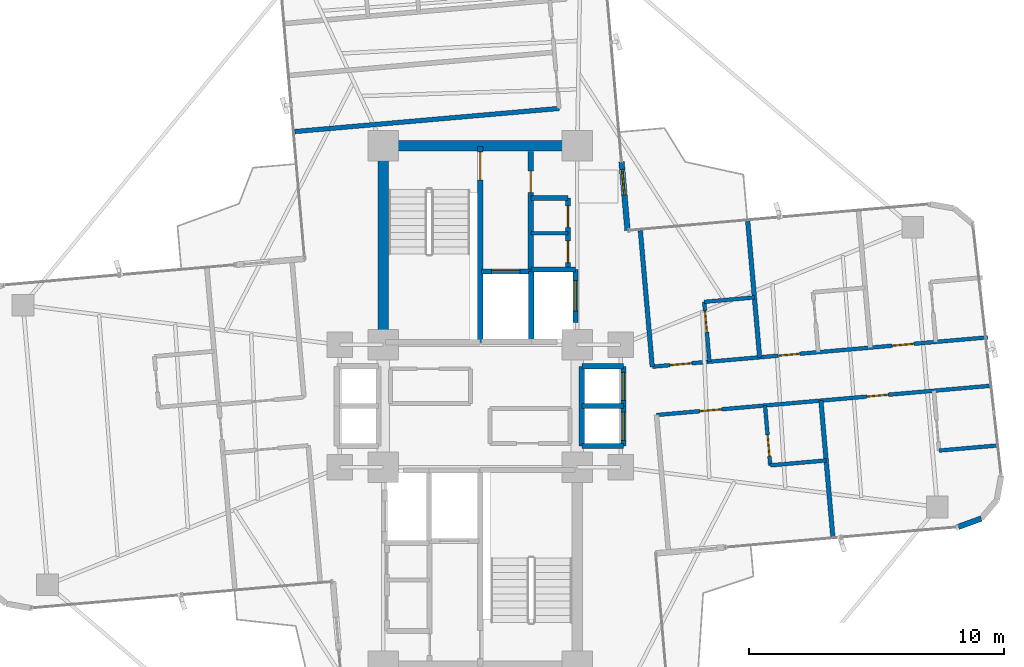
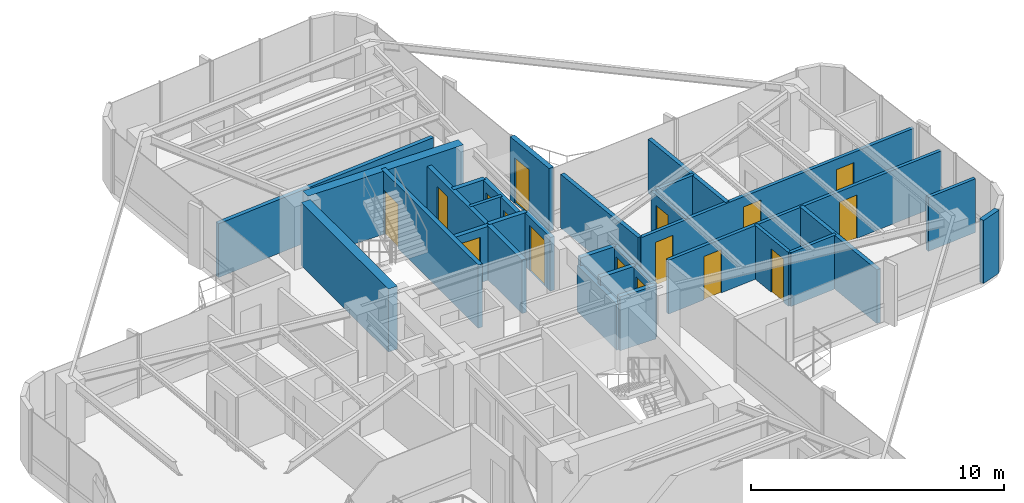
# One storey, part 22 of 24: 30 walls, 16 doors, 16 openings.
"""IFC4 building model written with IfcOpenShell, lengths in metres."""

from ifc_helpers import new_model, si_unit, direction, frame, frame_2d, origin, origin_2d, place, context, subcontext, project, spatial, rectangle, extrude, source, transform, mapped, material, layer, layer_set, type_object, element, fill, save


model = new_model("IFC4")

# Units and contexts
model_context = context("Model", 3, precision=1e-05, world=origin(), true_north=direction((0.0, 1.0)))
body_context = subcontext(model_context, "Body", "Model", "MODEL_VIEW")
ifc_project = project(units=[si_unit("LENGTHUNIT", "METRE"), si_unit("AREAUNIT", "SQUARE_METRE"), si_unit("VOLUMEUNIT", "CUBIC_METRE"), si_unit("PLANEANGLEUNIT", "RADIAN"), si_unit("MASSUNIT", "GRAM", prefix="KILO")], contexts=[model_context])

# Site, building, storey
site_placement = place(None, origin())
site = spatial("IfcSite", under=ifc_project, at=site_placement, CompositionType="ELEMENT")
building_placement = place(site_placement, origin())
building = spatial("IfcBuilding", under=site, at=building_placement, Name="Sahyath Konkavel Grand Hotel", CompositionType="ELEMENT")
storey_placement = place(building_placement, frame((0.0, 0.0, 167.35009765625)))
storey = spatial("IfcBuildingStorey", under=building, at=storey_placement, Name="L46", CompositionType="ELEMENT", Elevation=167.35009765625)

# Walls
ifc_material_1 = material(Name="Concrete C50/60", Category="concrete")
ifc_layer_1 = layer(ifc_material_1, 0.419921875)
ifc_layer_set_1 = layer_set([ifc_layer_1], Name="Concrete C50/60")
wall_type_1 = type_object("IfcWallType", Name="CWALL-420", PredefinedType="SHEAR", material=ifc_layer_set_1)
wall_1_placement = place(storey_placement, frame((-3.550048828125, 10.199951171875, 0.0), z_axis=(0.0, 0.0, 1.0), x_axis=(1.0, 0.0, 0.0)))
element("IfcWall", 1, at=wall_1_placement, inside=storey, type_object=wall_type_1, Name="L46 North Core Shear Wall N", PredefinedType="SHEAR", context=body_context, shape_type="SweptSolid", body=[
    extrude(rectangle(XDim=7.10009765625, YDim=0.419921875, at=frame_2d((3.550048828125, 0.0))), origin(), (0.0, 0.0, 1.0), 3.0498046875),
])
wall_2_placement = place(storey_placement, frame((-3.800048828125, 2.85009765625, 0.0), z_axis=(0.0, 0.0, 1.0), x_axis=(0.0, 1.0, 0.0)))
element("IfcWall", 2, at=wall_2_placement, inside=storey, type_object=wall_type_1, Name="L46 North Core Shear Wall W", PredefinedType="SHEAR", context=body_context, shape_type="SweptSolid", body=[
    extrude(rectangle(XDim=6.89990234375, YDim=0.419921875, at=frame_2d((3.449951171875, 0.0))), origin(), (0.0, 0.0, 1.0), 3.0498046875),
])
ifc_material_2 = material(Name="Warm Buff Sandstone Insulated Concrete C40/50", Category="masonry")
ifc_layer_2 = layer(ifc_material_2, 0.219970703125)
ifc_layer_set_2 = layer_set([ifc_layer_2], Name="Warm Buff Sandstone Insulated Concrete C40/50")
wall_type_2 = type_object("IfcWallType", Name="WLL-BALC-THRESH", PredefinedType="STANDARD", material=ifc_layer_set_2)
wall_3_placement = place(storey_placement, frame((18.73388671875, -4.735107421875, 0.0), z_axis=(0.0, 0.0, 1.0), x_axis=(0.939741306239, 0.34188635151, 0.0)))
element("IfcWall", 3, at=wall_3_placement, inside=storey, type_object=wall_type_2, Name="L46 Rounded Corner Sandstone Pier 1", PredefinedType="STANDARD", context=body_context, shape_type="SweptSolid", body=[
    extrude(rectangle(XDim=0.95751953125, YDim=0.219970703125, at=frame_2d((0.478759765625, 0.0))), origin(), (0.0, 0.0, 1.0), 3.0498046875),
])

# Wall, opening, door
wall_4_placement = place(storey_placement, frame((5.7724609375, 6.87939453125, 0.0), z_axis=(0.0, 0.0, 1.0), x_axis=(-0.087168071984, 0.996193619346, 0.0)))
wall_4 = element("IfcWall", 4, at=wall_4_placement, inside=storey, type_object=wall_type_2, Name="L46 Winter-Garden Threshold Wall 8", PredefinedType="STANDARD", context=body_context, shape_type="SweptSolid", body=[
    extrude(rectangle(XDim=2.699951171875, YDim=0.219970703125, at=frame_2d((1.35009765625, 0.0))), origin(), (0.0, 0.0, 1.0), 3.0498046875),
])
opening_1_placement = place(wall_4_placement, frame((1.39990234375, 0.0, 0.0)))
opening_1 = element("IfcOpeningElement", 5, at=opening_1_placement, cuts=wall_4, Name="Opening D-TR1", PredefinedType="OPENING", context=body_context, shape_type="SweptSolid", body=[
    extrude(rectangle(XDim=1.0, YDim=2.199951171875, at=frame_2d((0.5, 1.10009765625))), frame((0.0, 0.1201171875, 0.0), z_axis=(0.0, -1.0, 0.0), x_axis=(1.0, 0.0, 0.0)), (0.0, 0.0, 1.0), 0.239990234375),
])
ifc_material_3 = material(Name="Anodised Bronze Aluminium & Low-E Glazing", Category="aluminium")
door_type_1 = type_object("IfcDoorType", Name="DR-TERRACE-1000", OperationType="NOTDEFINED", PredefinedType="DOOR", material=ifc_material_3)
shared_shape_1 = source(origin(), body_context, "Body", "SweptSolid", [
    extrude(rectangle(XDim=1.0, YDim=0.050048828125, at=origin_2d()), origin(), (0.0, 0.0, 1.0), 2.199951171875),
])
door_1_placement = place(opening_1_placement, frame((0.5, 0.0, 0.0)))
door_1 = element("IfcDoor", 6, at=door_1_placement, inside=storey, type_object=door_type_1, Name="L46 Winter-Garden Terrace Door 8", OperationType="SINGLE_SWING_LEFT", OverallHeight=2.199951171875, OverallWidth=1.0, PredefinedType="DOOR", context=body_context, shape_type="MappedRepresentation", body=[
    mapped(shared_shape_1, transform((0.0, 0.0, 0.0), scale=1.0)),
])
fill(opening_1, door_1)

ifc_material_4 = material(Name="Concrete C40/50", Category="concrete")
ifc_layer_3 = layer(ifc_material_4, 0.199951171875)
ifc_layer_set_3 = layer_set([ifc_layer_3], Name="Concrete C40/50")
wall_type_3 = type_object("IfcWallType", Name="WLL-CORE-200", PredefinedType="SOLIDWALL", material=ifc_layer_set_3)
wall_5_placement = place(storey_placement, frame((0.0, 2.5, 0.0), z_axis=(0.0, 0.0, 1.0), x_axis=(0.0, 1.0, 0.0)))
wall_5 = element("IfcWall", 7, at=wall_5_placement, inside=storey, type_object=wall_type_3, Name="L46 Stair ST-1 Shaft Wall E", PredefinedType="SOLIDWALL", context=body_context, shape_type="SweptSolid", body=[
    extrude(rectangle(XDim=7.679931640625, YDim=0.199951171875, at=frame_2d((3.83984375, 0.0))), origin(), (0.0, 0.0, 1.0), 3.0498046875),
])
opening_2_placement = place(wall_5_placement, frame((6.360107421875, 0.0, 0.0)))
opening_2 = element("IfcOpeningElement", 8, at=opening_2_placement, cuts=wall_5, Name="Opening D-F12B", PredefinedType="OPENING", context=body_context, shape_type="SweptSolid", body=[
    extrude(rectangle(XDim=1.10009765625, YDim=2.14990234375, at=frame_2d((0.550048828125, 1.074951171875))), frame((0.0, 0.10986328125, 0.0), z_axis=(0.0, -1.0, 0.0), x_axis=(1.0, 0.0, 0.0)), (0.0, 0.0, 1.0), 0.219970703125),
])
ifc_material_5 = material(Name="Steel E350 Smokeproof Fire Door", Category="steel")
door_type_2 = type_object("IfcDoorType", Name="DR-FD120-1100", OperationType="NOTDEFINED", PredefinedType="DOOR", material=ifc_material_5)
shared_shape_2 = source(origin(), body_context, "Body", "SweptSolid", [
    extrude(rectangle(XDim=1.10009765625, YDim=0.050048828125, at=origin_2d()), origin(), (0.0, 0.0, 1.0), 2.14990234375),
])
door_2_placement = place(opening_2_placement, frame((0.550048828125, 0.0, 0.0)))
door_2 = element("IfcDoor", 9, at=door_2_placement, inside=storey, type_object=door_type_2, Name="L46 Stair ST-1 Fire Door", OperationType="SINGLE_SWING_RIGHT", OverallHeight=2.14990234375, OverallWidth=1.10009765625, PredefinedType="DOOR", context=body_context, shape_type="MappedRepresentation", body=[
    mapped(shared_shape_2, transform((0.0, 0.0, 0.0), scale=1.0)),
])
fill(opening_2, door_2)

wall_6_placement = place(storey_placement, frame((1.97998046875, 5.320068359375, 0.0), z_axis=(0.0, 0.0, 1.0), x_axis=(0.0, 1.0, 0.0)))
wall_6 = element("IfcWall", 10, at=wall_6_placement, inside=storey, type_object=wall_type_3, Name="L46 North Firefighting Lobby Wall E", PredefinedType="SOLIDWALL", context=body_context, shape_type="SweptSolid", body=[
    extrude(rectangle(XDim=4.659912109375, YDim=0.199951171875, at=frame_2d((2.330078125, 0.0))), origin(), (0.0, 0.0, 1.0), 2.599853515625),
])
opening_3_placement = place(wall_6_placement, frame((3.0400390625, 0.0, 0.0)))
opening_3 = element("IfcOpeningElement", 11, at=opening_3_placement, cuts=wall_6, Name="Opening D-F12D", PredefinedType="OPENING", context=body_context, shape_type="SweptSolid", body=[
    extrude(rectangle(XDim=0.85009765625, YDim=2.10009765625, at=frame_2d((0.425048828125, 1.050048828125))), frame((0.0, 0.10986328125, 0.0), z_axis=(0.0, -1.0, 0.0), x_axis=(1.0, 0.0, 0.0)), (0.0, 0.0, 1.0), 0.219970703125),
])
ifc_material_6 = material(Name="Steel E350 Core Fire Door", Category="steel")
door_type_3 = type_object("IfcDoorType", Name="DR-FD120-850", OperationType="NOTDEFINED", PredefinedType="DOOR", material=ifc_material_6)
shared_shape_3 = source(origin(), body_context, "Body", "SweptSolid", [
    extrude(rectangle(XDim=0.85009765625, YDim=0.050048828125, at=origin_2d()), origin(), (0.0, 0.0, 1.0), 2.10009765625),
])
door_3_placement = place(opening_3_placement, frame((0.425048828125, 0.0, 0.0)))
door_3 = element("IfcDoor", 12, at=door_3_placement, inside=storey, type_object=door_type_3, Name="L46 North Firefighting Lobby Door", OperationType="SINGLE_SWING_RIGHT", OverallHeight=2.10009765625, OverallWidth=0.85009765625, PredefinedType="DOOR", context=body_context, shape_type="MappedRepresentation", body=[
    mapped(shared_shape_3, transform((0.0, 0.0, 0.0), scale=1.0)),
])
fill(opening_3, door_3)

# Wall
wall_7_placement = place(storey_placement, frame((2.0, 2.5, 0.0), z_axis=(0.0, 0.0, 1.0), x_axis=(0.0, 1.0, 0.0)))
element("IfcWall", 13, at=wall_7_placement, inside=storey, type_object=wall_type_3, Name="L46 Partition SH-FFL1-E", PredefinedType="SOLIDWALL", context=body_context, shape_type="SweptSolid", body=[
    extrude(rectangle(XDim=2.780029296875, YDim=0.199951171875, at=frame_2d((1.39013671875, 0.0))), origin(), (0.0, 0.0, 1.0), 2.599853515625),
])

# Wall, opening, door
wall_8_placement = place(storey_placement, frame((0.050048828125, 5.280029296875, 0.0), z_axis=(0.0, 0.0, 1.0), x_axis=(1.0, 0.0, 0.0)))
wall_8 = element("IfcWall", 14, at=wall_8_placement, inside=storey, type_object=wall_type_3, Name="L46 Partition SH-FFL1-N", PredefinedType="SOLIDWALL", context=body_context, shape_type="SweptSolid", body=[
    extrude(rectangle(XDim=1.929931640625, YDim=0.199951171875, at=frame_2d((0.96484375, 0.0))), origin(), (0.0, 0.0, 1.0), 2.599853515625),
])
opening_4_placement = place(wall_8_placement, frame((0.39990234375, 0.0, 0.0)))
opening_4 = element("IfcOpeningElement", 15, at=opening_4_placement, cuts=wall_8, Name="Opening LD-11", PredefinedType="OPENING", context=body_context, shape_type="SweptSolid", body=[
    extrude(rectangle(XDim=1.10009765625, YDim=2.199951171875, at=frame_2d((0.550048828125, 1.10009765625))), frame((0.0, 0.10986328125, 0.0), z_axis=(0.0, -1.0, 0.0), x_axis=(1.0, 0.0, 0.0)), (0.0, 0.0, 1.0), 0.219970703125),
])
ifc_material_7 = material(Name="Bronze Lift Landing Door 1100")
door_type_4 = type_object("IfcDoorType", Name="DR-LIFT-1100", OperationType="DOUBLE_DOOR_SLIDING", PredefinedType="DOOR", material=ifc_material_7)
shared_shape_4 = source(origin(), body_context, "Body", "SweptSolid", [
    extrude(rectangle(XDim=1.10009765625, YDim=0.050048828125, at=origin_2d()), origin(), (0.0, 0.0, 1.0), 2.199951171875),
])
door_4_placement = place(opening_4_placement, frame((0.550048828125, 0.0, 0.0)))
door_4 = element("IfcDoor", 16, at=door_4_placement, inside=storey, type_object=door_type_4, Name="L46 Lift FFL-1 Landing Door", OperationType="DOUBLE_DOOR_SLIDING", OverallHeight=2.199951171875, OverallWidth=1.10009765625, PredefinedType="DOOR", context=body_context, shape_type="MappedRepresentation", body=[
    mapped(shared_shape_4, transform((0.0, 0.0, 0.0), scale=1.0)),
])
fill(opening_4, door_4)

# Wall
wall_9_placement = place(storey_placement, frame((2.0, 5.360107421875, 0.0), z_axis=(0.0, 0.0, 1.0), x_axis=(1.0, 0.0, 0.0)))
element("IfcWall", 17, at=wall_9_placement, inside=storey, type_object=wall_type_3, Name="L46 Partition SH-SVL1-N", PredefinedType="SOLIDWALL", context=body_context, shape_type="SweptSolid", body=[
    extrude(rectangle(XDim=1.739990234375, YDim=0.199951171875, at=frame_2d((0.8701171875, 0.0))), origin(), (0.0, 0.0, 1.0), 2.599853515625),
])

# Wall, opening, door
wall_10_placement = place(storey_placement, frame((3.739990234375, 3.280029296875, 0.0), z_axis=(0.0, 0.0, 1.0), x_axis=(0.0, 1.0, 0.0)))
wall_10 = element("IfcWall", 18, at=wall_10_placement, inside=storey, type_object=wall_type_3, Name="L46 Partition SH-SVL1-E", PredefinedType="SOLIDWALL", context=body_context, shape_type="SweptSolid", body=[
    extrude(rectangle(XDim=2.080078125, YDim=0.199951171875, at=frame_2d((1.0400390625, 0.0))), origin(), (0.0, 0.0, 1.0), 2.599853515625),
])
opening_5_placement = place(wall_10_placement, frame((0.43994140625, 0.0, 0.0)))
opening_5 = element("IfcOpeningElement", 19, at=opening_5_placement, cuts=wall_10, Name="Opening LD-12", PredefinedType="OPENING", context=body_context, shape_type="SweptSolid", body=[
    extrude(rectangle(XDim=1.199951171875, YDim=2.199951171875, at=frame_2d((0.60009765625, 1.10009765625))), frame((0.0, 0.10986328125, 0.0), z_axis=(0.0, -1.0, 0.0), x_axis=(1.0, 0.0, 0.0)), (0.0, 0.0, 1.0), 0.219970703125),
])
ifc_material_8 = material(Name="Stainless Steel Lift Landing Door 1200", Category="steel")
door_type_5 = type_object("IfcDoorType", Name="DR-LIFT-1200", OperationType="DOUBLE_DOOR_SLIDING", PredefinedType="DOOR", material=ifc_material_8)
shared_shape_5 = source(origin(), body_context, "Body", "SweptSolid", [
    extrude(rectangle(XDim=1.199951171875, YDim=0.050048828125, at=origin_2d()), origin(), (0.0, 0.0, 1.0), 2.199951171875),
])
door_5_placement = place(opening_5_placement, frame((0.60009765625, 0.0, 0.0)))
door_5 = element("IfcDoor", 20, at=door_5_placement, inside=storey, type_object=door_type_5, Name="L46 Service Lift SVL-1 Landing Door", OperationType="DOUBLE_DOOR_SLIDING", OverallHeight=2.199951171875, OverallWidth=1.199951171875, PredefinedType="DOOR", context=body_context, shape_type="MappedRepresentation", body=[
    mapped(shared_shape_5, transform((0.0, 0.0, 0.0), scale=1.0)),
])
fill(opening_5, door_5)

# Walls
wall_11_placement = place(storey_placement, frame((3.97998046875, -1.56005859375, 0.0), z_axis=(0.0, 0.0, 1.0), x_axis=(0.0, 1.0, 0.0)))
element("IfcWall", 21, at=wall_11_placement, inside=storey, type_object=wall_type_3, Name="L46 Partition SH-PL56-W", PredefinedType="SOLIDWALL", context=body_context, shape_type="SweptSolid", body=[
    extrude(rectangle(XDim=3.1201171875, YDim=0.199951171875, at=frame_2d((1.56005859375, 0.0))), origin(), (0.0, 0.0, 1.0), 2.219970703125),
])
for number, where, z_axis, x_axis, name in (
    (22, (3.97998046875, 1.56005859375, 0.0), (0.0, 0.0, 1.0), (1.0, 0.0, 0.0), "L46 Partition SH-PL56-N"),
    (23, (3.97998046875, -1.56005859375, 0.0), (0.0, 0.0, 1.0), (1.0, 0.0, 0.0), "L46 Partition SH-PL56-S"),
    (24, (3.97998046875, 0.0, 0.0), (0.0, 0.0, 1.0), (1.0, 0.0, 0.0), "L46 Partition SH-PL56-M"),
):
    element("IfcWall", number, at=place(storey_placement, frame(where, z_axis=z_axis, x_axis=x_axis)), inside=storey, type_object=wall_type_3, Name=name, PredefinedType="SOLIDWALL", context=body_context, shape_type="SweptSolid", body=[
        extrude(rectangle(XDim=1.64013671875, YDim=0.199951171875, at=frame_2d((0.820068359375, 0.0))), origin(), (0.0, 0.0, 1.0), 2.599853515625),
    ])

# Wall, opening, door
wall_12_placement = place(storey_placement, frame((5.6201171875, 0.0, 0.0), z_axis=(0.0, 0.0, 1.0), x_axis=(0.0, 1.0, 0.0)))
wall_12 = element("IfcWall", 25, at=wall_12_placement, inside=storey, type_object=wall_type_3, Name="L46 Partition SH-PL5-E", PredefinedType="SOLIDWALL", context=body_context, shape_type="SweptSolid", body=[
    extrude(rectangle(XDim=1.56005859375, YDim=0.199951171875, at=frame_2d((0.780029296875, 0.0))), origin(), (0.0, 0.0, 1.0), 2.599853515625),
])
opening_6_placement = place(wall_12_placement, frame((0.219970703125, 0.0, 0.0)))
opening_6 = element("IfcOpeningElement", 26, at=opening_6_placement, cuts=wall_12, Name="Opening LD-11", PredefinedType="OPENING", context=body_context, shape_type="SweptSolid", body=[
    extrude(rectangle(XDim=1.10009765625, YDim=2.199951171875, at=frame_2d((0.550048828125, 1.10009765625))), frame((0.0, 0.10986328125, 0.0), z_axis=(0.0, -1.0, 0.0), x_axis=(1.0, 0.0, 0.0)), (0.0, 0.0, 1.0), 0.219970703125),
])
door_6_placement = place(opening_6_placement, frame((0.550048828125, 0.0, 0.0)))
door_6 = element("IfcDoor", 27, at=door_6_placement, inside=storey, type_object=door_type_4, Name="L46 High-Rise Lift PL-5 Landing Door", OperationType="DOUBLE_DOOR_SLIDING", OverallHeight=2.199951171875, OverallWidth=1.10009765625, PredefinedType="DOOR", context=body_context, shape_type="MappedRepresentation", body=[
    mapped(shared_shape_4, transform((0.0, 0.0, 0.0), scale=1.0)),
])
fill(opening_6, door_6)

wall_13_placement = place(storey_placement, frame((5.6201171875, -1.56005859375, 0.0), z_axis=(0.0, 0.0, 1.0), x_axis=(0.0, 1.0, 0.0)))
wall_13 = element("IfcWall", 28, at=wall_13_placement, inside=storey, type_object=wall_type_3, Name="L46 Partition SH-PL6-E", PredefinedType="SOLIDWALL", context=body_context, shape_type="SweptSolid", body=[
    extrude(rectangle(XDim=1.56005859375, YDim=0.199951171875, at=frame_2d((0.780029296875, 0.0))), origin(), (0.0, 0.0, 1.0), 2.599853515625),
])
opening_7_placement = place(wall_13_placement, frame((0.219970703125, 0.0, 0.0)))
opening_7 = element("IfcOpeningElement", 29, at=opening_7_placement, cuts=wall_13, Name="Opening LD-11", PredefinedType="OPENING", context=body_context, shape_type="SweptSolid", body=[
    extrude(rectangle(XDim=1.10009765625, YDim=2.199951171875, at=frame_2d((0.550048828125, 1.10009765625))), frame((0.0, 0.10986328125, 0.0), z_axis=(0.0, -1.0, 0.0), x_axis=(1.0, 0.0, 0.0)), (0.0, 0.0, 1.0), 0.219970703125),
])
door_7_placement = place(opening_7_placement, frame((0.550048828125, 0.0, 0.0)))
door_7 = element("IfcDoor", 30, at=door_7_placement, inside=storey, type_object=door_type_4, Name="L46 High-Rise Lift PL-6 Landing Door", OperationType="DOUBLE_DOOR_SLIDING", OverallHeight=2.199951171875, OverallWidth=1.10009765625, PredefinedType="DOOR", context=body_context, shape_type="MappedRepresentation", body=[
    mapped(shared_shape_4, transform((0.0, 0.0, 0.0), scale=1.0)),
])
fill(opening_7, door_7)

# Wall, openings, doors
wall_14_placement = place(storey_placement, frame((3.43994140625, 5.3798828125, 0.0), z_axis=(0.0, 0.0, 1.0), x_axis=(0.0, 1.0, 0.0)))
wall_14 = element("IfcWall", 31, at=wall_14_placement, inside=storey, type_object=wall_type_3, Name="L46 Reclaimed North Core Wall E", PredefinedType="SOLIDWALL", context=body_context, shape_type="SweptSolid", body=[
    extrude(rectangle(XDim=2.77001953125, YDim=0.199951171875, at=frame_2d((1.385009765625, 0.0))), origin(), (0.0, 0.0, 1.0), 2.599853515625),
])
opening_8_placement = place(wall_14_placement, frame((0.239990234375, 0.0, 0.0)))
opening_8 = element("IfcOpeningElement", 32, at=opening_8_placement, cuts=wall_14, Name="Opening D-F06D", PredefinedType="OPENING", context=body_context, shape_type="SweptSolid", body=[
    extrude(rectangle(XDim=0.85009765625, YDim=2.10009765625, at=frame_2d((0.425048828125, 1.050048828125))), frame((0.0, 0.10986328125, 0.0), z_axis=(0.0, -1.0, 0.0), x_axis=(1.0, 0.0, 0.0)), (0.0, 0.0, 1.0), 0.219970703125),
])
opening_9_placement = place(wall_14_placement, frame((1.6201171875, 0.0, 0.0)))
opening_9 = element("IfcOpeningElement", 33, at=opening_9_placement, cuts=wall_14, Name="Opening D-F06D", PredefinedType="OPENING", context=body_context, shape_type="SweptSolid", body=[
    extrude(rectangle(XDim=0.85009765625, YDim=2.10009765625, at=frame_2d((0.425048828125, 1.050048828125))), frame((0.0, 0.10986328125, 0.0), z_axis=(0.0, -1.0, 0.0), x_axis=(1.0, 0.0, 0.0)), (0.0, 0.0, 1.0), 0.219970703125),
])
ifc_material_9 = material(Name="Fire-Rated Shaft Access Door")
door_type_6 = type_object("IfcDoorType", Name="DR-FD60-850", OperationType="NOTDEFINED", PredefinedType="DOOR", material=ifc_material_9)
door_8_placement = place(opening_8_placement, frame((0.425048828125, 0.0, 0.0)))
door_8 = element("IfcDoor", 34, at=door_8_placement, inside=storey, type_object=door_type_6, Name="L46 Door NC-REC1-D", OperationType="SINGLE_SWING_RIGHT", OverallHeight=2.10009765625, OverallWidth=0.85009765625, PredefinedType="DOOR", context=body_context, shape_type="MappedRepresentation", body=[
    mapped(shared_shape_3, transform((0.0, 0.0, 0.0), scale=1.0)),
])
fill(opening_8, door_8)
door_9_placement = place(opening_9_placement, frame((0.425048828125, 0.0, 0.0)))
door_9 = element("IfcDoor", 35, at=door_9_placement, inside=storey, type_object=door_type_6, Name="L46 Door NC-REC2-D", OperationType="SINGLE_SWING_LEFT", OverallHeight=2.10009765625, OverallWidth=0.85009765625, PredefinedType="DOOR", context=body_context, shape_type="MappedRepresentation", body=[
    mapped(shared_shape_3, transform((0.0, 0.0, 0.0), scale=1.0)),
])
fill(opening_9, door_9)

# Walls
wall_15_placement = place(storey_placement, frame((1.97998046875, 8.14990234375, 0.0), z_axis=(0.0, 0.0, 1.0), x_axis=(1.0, 0.0, 0.0)))
element("IfcWall", 36, at=wall_15_placement, inside=storey, type_object=wall_type_3, Name="L46 Partition NC-REC-N", PredefinedType="SOLIDWALL", context=body_context, shape_type="SweptSolid", body=[
    extrude(rectangle(XDim=1.4599609375, YDim=0.199951171875, at=frame_2d((0.72998046875, 0.0))), origin(), (0.0, 0.0, 1.0), 2.599853515625),
])
ifc_material_10 = material(Name="Twin-Stud Acoustic Gypsum Plasterboard Partition")
ifc_layer_4 = layer(ifc_material_10, 0.179931640625)
ifc_layer_set_4 = layer_set([ifc_layer_4], Name="Twin-Stud Acoustic Gypsum Plasterboard Partition")
wall_type_4 = type_object("IfcWallType", Name="WLL-DEMISE-180", PredefinedType="PARTITIONING", material=ifc_layer_set_4)
for number, where, z_axis, x_axis, name in (
    (37, (6.7412109375, 1.54345703125, 0.0), (0.0, 0.0, 1.0), (-0.087161289348, 0.996194212812, 0.0), "L46 Partition E-INL"),
    (38, (10.94921875, 1.91162109375, 0.0), (0.0, 0.0, 1.0), (-0.087161289348, 0.996194212812, 0.0), "L46 Partition E-E1L-DEM"),
    (39, (13.35009765625, 0.21435546875, 0.0), (0.0, 0.0, 1.0), (0.087161289348, -0.996194212812, 0.0), "L46 Partition E-E1R-DEM"),
):
    element("IfcWall", number, at=place(storey_placement, frame(where, z_axis=z_axis, x_axis=x_axis)), inside=storey, type_object=wall_type_4, Name=name, PredefinedType="PARTITIONING", context=body_context, shape_type="SweptSolid", body=[
        extrude(rectangle(XDim=5.349853515625, YDim=0.179931640625, at=frame_2d((2.6748046875, 0.0))), origin(), (0.0, 0.0, 1.0), 2.599853515625),
    ])
wall_16_placement = place(storey_placement, frame((3.09521484375, 11.6640625, 0.0), z_axis=(0.0, 0.0, 1.0), x_axis=(-0.996196061386, -0.087140158824, 0.0)))
element("IfcWall", 40, at=wall_16_placement, inside=storey, type_object=wall_type_4, Name="L46 Partition N-G6I", PredefinedType="PARTITIONING", context=body_context, shape_type="SweptSolid", body=[
    extrude(rectangle(XDim=10.39990234375, YDim=0.179931640625, at=frame_2d((5.199951171875, 0.0))), origin(), (0.0, 0.0, 1.0), 2.599853515625),
])
ifc_material_11 = material(Name="Fire-Rated Gypsum Plasterboard Partition")
ifc_layer_5 = layer(ifc_material_11, 0.14990234375)
ifc_layer_set_5 = layer_set([ifc_layer_5], Name="Fire-Rated Gypsum Plasterboard Partition")
wall_type_5 = type_object("IfcWallType", Name="WLL-PART-150", PredefinedType="PARTITIONING", material=ifc_layer_set_5)
wall_17_placement = place(storey_placement, frame((1.97998046875, 6.77001953125, 0.0), z_axis=(0.0, 0.0, 1.0), x_axis=(1.0, 0.0, 0.0)))
element("IfcWall", 41, at=wall_17_placement, inside=storey, type_object=wall_type_5, Name="L46 Partition NC-REC-M1", PredefinedType="PARTITIONING", context=body_context, shape_type="SweptSolid", body=[
    extrude(rectangle(XDim=1.4599609375, YDim=0.14990234375, at=frame_2d((0.72998046875, 0.0))), origin(), (0.0, 0.0, 1.0), 2.599853515625),
])

# Wall, openings, doors
wall_18_placement = place(storey_placement, frame((6.7412109375, 1.54345703125, 0.0), z_axis=(0.0, 0.0, 1.0), x_axis=(0.996195062465, 0.087151577845, 0.0)))
wall_18 = element("IfcWall", 42, at=wall_18_placement, inside=storey, type_object=wall_type_5, Name="L46 Partition E-CL", PredefinedType="PARTITIONING", context=body_context, shape_type="SweptSolid", body=[
    extrude(rectangle(XDim=13.199951171875, YDim=0.14990234375, at=frame_2d((6.60009765625, 0.0))), origin(), (0.0, 0.0, 1.0), 2.599853515625),
])
opening_10_placement = place(wall_18_placement, frame((0.699951171875, 0.0, 0.0)))
opening_10 = element("IfcOpeningElement", 43, at=opening_10_placement, cuts=wall_18, Name="Opening D-F06D", PredefinedType="OPENING", context=body_context, shape_type="SweptSolid", body=[
    extrude(rectangle(XDim=0.85009765625, YDim=2.10009765625, at=frame_2d((0.425048828125, 1.050048828125))), frame((0.0, 0.0849609375, 0.0), z_axis=(0.0, -1.0, 0.0), x_axis=(1.0, 0.0, 0.0)), (0.0, 0.0, 1.0), 0.169921875),
])
opening_11_placement = place(wall_18_placement, frame((4.951904296875, 0.0, 0.0)))
opening_11 = element("IfcOpeningElement", 44, at=opening_11_placement, cuts=wall_18, Name="Opening D-F06D", PredefinedType="OPENING", context=body_context, shape_type="SweptSolid", body=[
    extrude(rectangle(XDim=0.85009765625, YDim=2.10009765625, at=frame_2d((0.425048828125, 1.050048828125))), frame((0.0, 0.0849609375, 0.0), z_axis=(0.0, -1.0, 0.0), x_axis=(1.0, 0.0, 0.0)), (0.0, 0.0, 1.0), 0.169921875),
])
opening_12_placement = place(wall_18_placement, frame((9.43994140625, 0.0, 0.0)))
opening_12 = element("IfcOpeningElement", 45, at=opening_12_placement, cuts=wall_18, Name="Opening D-F06D", PredefinedType="OPENING", context=body_context, shape_type="SweptSolid", body=[
    extrude(rectangle(XDim=0.85009765625, YDim=2.10009765625, at=frame_2d((0.425048828125, 1.050048828125))), frame((0.0, 0.0849609375, 0.0), z_axis=(0.0, -1.0, 0.0), x_axis=(1.0, 0.0, 0.0)), (0.0, 0.0, 1.0), 0.169921875),
])
door_10_placement = place(opening_10_placement, frame((0.425048828125, 0.0, 0.0)))
door_10 = element("IfcDoor", 46, at=door_10_placement, inside=storey, type_object=door_type_6, Name="L46 Door E-E1L-ED", OperationType="SINGLE_SWING_LEFT", OverallHeight=2.10009765625, OverallWidth=0.85009765625, PredefinedType="DOOR", context=body_context, shape_type="MappedRepresentation", body=[
    mapped(shared_shape_3, transform((0.0, 0.0, 0.0), scale=1.0)),
])
fill(opening_10, door_10)
door_11_placement = place(opening_11_placement, frame((0.425048828125, 0.0, 0.0)))
door_11 = element("IfcDoor", 47, at=door_11_placement, inside=storey, type_object=door_type_6, Name="L46 Door E-E2L-ED", OperationType="SINGLE_SWING_LEFT", OverallHeight=2.10009765625, OverallWidth=0.85009765625, PredefinedType="DOOR", context=body_context, shape_type="MappedRepresentation", body=[
    mapped(shared_shape_3, transform((0.0, 0.0, 0.0), scale=1.0)),
])
fill(opening_11, door_11)
door_12_placement = place(opening_12_placement, frame((0.425048828125, 0.0, 0.0)))
door_12 = element("IfcDoor", 48, at=door_12_placement, inside=storey, type_object=door_type_6, Name="L46 Door E-E3L-ED", OperationType="SINGLE_SWING_LEFT", OverallHeight=2.10009765625, OverallWidth=0.85009765625, PredefinedType="DOOR", context=body_context, shape_type="MappedRepresentation", body=[
    mapped(shared_shape_3, transform((0.0, 0.0, 0.0), scale=1.0)),
])
fill(opening_12, door_12)

wall_19_placement = place(storey_placement, frame((6.90673828125, -0.349365234375, 0.0), z_axis=(0.0, 0.0, 1.0), x_axis=(0.996195062465, 0.087151577845, 0.0)))
wall_19 = element("IfcWall", 49, at=wall_19_placement, inside=storey, type_object=wall_type_5, Name="L46 Partition E-CR", PredefinedType="PARTITIONING", context=body_context, shape_type="SweptSolid", body=[
    extrude(rectangle(XDim=13.199951171875, YDim=0.14990234375, at=frame_2d((6.60009765625, 0.0))), origin(), (0.0, 0.0, 1.0), 2.599853515625),
])
opening_13_placement = place(wall_19_placement, frame((1.7099609375, 0.0, 0.0)))
opening_13 = element("IfcOpeningElement", 50, at=opening_13_placement, cuts=wall_19, Name="Opening D-F06D", PredefinedType="OPENING", context=body_context, shape_type="SweptSolid", body=[
    extrude(rectangle(XDim=0.85009765625, YDim=2.10009765625, at=frame_2d((0.425048828125, 1.050048828125))), frame((0.0, 0.0849609375, 0.0), z_axis=(0.0, -1.0, 0.0), x_axis=(1.0, 0.0, 0.0)), (0.0, 0.0, 1.0), 0.169921875),
])
opening_14_placement = place(wall_19_placement, frame((8.263916015625, 0.0, 0.0)))
opening_14 = element("IfcOpeningElement", 51, at=opening_14_placement, cuts=wall_19, Name="Opening D-F06D", PredefinedType="OPENING", context=body_context, shape_type="SweptSolid", body=[
    extrude(rectangle(XDim=0.85009765625, YDim=2.10009765625, at=frame_2d((0.425048828125, 1.050048828125))), frame((0.0, 0.0849609375, 0.0), z_axis=(0.0, -1.0, 0.0), x_axis=(1.0, 0.0, 0.0)), (0.0, 0.0, 1.0), 0.169921875),
])
door_13_placement = place(opening_13_placement, frame((0.425048828125, 0.0, 0.0)))
door_13 = element("IfcDoor", 52, at=door_13_placement, inside=storey, type_object=door_type_6, Name="L46 Door E-E1R-ED", OperationType="SINGLE_SWING_LEFT", OverallHeight=2.10009765625, OverallWidth=0.85009765625, PredefinedType="DOOR", context=body_context, shape_type="MappedRepresentation", body=[
    mapped(shared_shape_3, transform((0.0, 0.0, 0.0), scale=1.0)),
])
fill(opening_13, door_13)
door_14_placement = place(opening_14_placement, frame((0.425048828125, 0.0, 0.0)))
door_14 = element("IfcDoor", 53, at=door_14_placement, inside=storey, type_object=door_type_6, Name="L46 Door E-E2R-ED", OperationType="SINGLE_SWING_LEFT", OverallHeight=2.10009765625, OverallWidth=0.85009765625, PredefinedType="DOOR", context=body_context, shape_type="MappedRepresentation", body=[
    mapped(shared_shape_3, transform((0.0, 0.0, 0.0), scale=1.0)),
])
fill(opening_14, door_14)

# Wall, opening, door
wall_20_placement = place(storey_placement, frame((8.982666015625, 1.739501953125, 0.0), z_axis=(0.0, 0.0, 1.0), x_axis=(-0.087224846905, 0.996188649846, 0.0)))
wall_20 = element("IfcWall", 54, at=wall_20_placement, inside=storey, type_object=wall_type_5, Name="L46 Partition E-E1L-BS", PredefinedType="PARTITIONING", context=body_context, shape_type="SweptSolid", body=[
    extrude(rectangle(XDim=2.35400390625, YDim=0.14990234375, at=frame_2d((1.177001953125, 0.0))), origin(), (0.0, 0.0, 1.0), 2.599853515625),
])
opening_15_placement = place(wall_20_placement, frame((1.154052734375, 0.0, 0.0)))
opening_15 = element("IfcOpeningElement", 55, at=opening_15_placement, cuts=wall_20, Name="Opening D-BT85", PredefinedType="OPENING", context=body_context, shape_type="SweptSolid", body=[
    extrude(rectangle(XDim=0.85009765625, YDim=2.10009765625, at=frame_2d((0.425048828125, 1.050048828125))), frame((0.0, 0.0849609375, 0.0), z_axis=(0.0, -1.0, 0.0), x_axis=(1.0, 0.0, 0.0)), (0.0, 0.0, 1.0), 0.169921875),
])
ifc_material_12 = material(Name="Moisture-Resistant Teak Bathroom Door")
door_type_7 = type_object("IfcDoorType", Name="DR-BATH-850", OperationType="NOTDEFINED", PredefinedType="DOOR", material=ifc_material_12)
door_15_placement = place(opening_15_placement, frame((0.425048828125, 0.0, 0.0)))
door_15 = element("IfcDoor", 56, at=door_15_placement, inside=storey, type_object=door_type_7, Name="L46 Door E-E1L-BD", OperationType="SINGLE_SWING_RIGHT", OverallHeight=2.10009765625, OverallWidth=0.85009765625, PredefinedType="DOOR", context=body_context, shape_type="MappedRepresentation", body=[
    mapped(shared_shape_3, transform((0.0, 0.0, 0.0), scale=1.0)),
])
fill(opening_15, door_15)

# Wall
wall_21_placement = place(storey_placement, frame((8.77734375, 4.08447265625, 0.0), z_axis=(0.0, 0.0, 1.0), x_axis=(0.996191703625, 0.087189962887, 0.0)))
element("IfcWall", 57, at=wall_21_placement, inside=storey, type_object=wall_type_5, Name="L46 Partition E-E1L-BF", PredefinedType="PARTITIONING", context=body_context, shape_type="SweptSolid", body=[
    extrude(rectangle(XDim=1.97412109375, YDim=0.14990234375, at=frame_2d((0.987060546875, 0.0))), origin(), (0.0, 0.0, 1.0), 2.599853515625),
])

# Wall, opening, door
wall_22_placement = place(storey_placement, frame((11.159423828125, 0.022705078125, 0.0), z_axis=(0.0, 0.0, 1.0), x_axis=(0.087224846905, -0.996188649846, 0.0)))
wall_22 = element("IfcWall", 58, at=wall_22_placement, inside=storey, type_object=wall_type_5, Name="L46 Partition E-E1R-BS", PredefinedType="PARTITIONING", context=body_context, shape_type="SweptSolid", body=[
    extrude(rectangle(XDim=2.35400390625, YDim=0.14990234375, at=frame_2d((1.177001953125, 0.0))), origin(), (0.0, 0.0, 1.0), 2.599853515625),
])
opening_16_placement = place(wall_22_placement, frame((1.154052734375, 0.0, 0.0)))
opening_16 = element("IfcOpeningElement", 59, at=opening_16_placement, cuts=wall_22, Name="Opening D-BT85", PredefinedType="OPENING", context=body_context, shape_type="SweptSolid", body=[
    extrude(rectangle(XDim=0.85009765625, YDim=2.10009765625, at=frame_2d((0.425048828125, 1.050048828125))), frame((0.0, 0.0849609375, 0.0), z_axis=(0.0, -1.0, 0.0), x_axis=(1.0, 0.0, 0.0)), (0.0, 0.0, 1.0), 0.169921875),
])
door_16_placement = place(opening_16_placement, frame((0.425048828125, 0.0, 0.0)))
door_16 = element("IfcDoor", 60, at=door_16_placement, inside=storey, type_object=door_type_7, Name="L46 Door E-E1R-BD", OperationType="SINGLE_SWING_RIGHT", OverallHeight=2.10009765625, OverallWidth=0.85009765625, PredefinedType="DOOR", context=body_context, shape_type="MappedRepresentation", body=[
    mapped(shared_shape_3, transform((0.0, 0.0, 0.0), scale=1.0)),
])
fill(opening_16, door_16)

# Walls
wall_23_placement = place(storey_placement, frame((11.36474609375, -2.322265625, 0.0), z_axis=(0.0, 0.0, 1.0), x_axis=(0.996195042958, 0.087151800816, 0.0)))
element("IfcWall", 61, at=wall_23_placement, inside=storey, type_object=wall_type_5, Name="L46 Partition E-E1R-BF", PredefinedType="PARTITIONING", context=body_context, shape_type="SweptSolid", body=[
    extrude(rectangle(XDim=2.198974609375, YDim=0.14990234375, at=frame_2d((1.099609375, 0.0))), origin(), (0.0, 0.0, 1.0), 2.599853515625),
])
wall_24_placement = place(storey_placement, frame((17.9814453125, -1.743408203125, 0.0), z_axis=(0.0, 0.0, 1.0), x_axis=(0.996196032585, 0.087140488075, 0.0)))
element("IfcWall", 62, at=wall_24_placement, inside=storey, type_object=wall_type_5, Name="L46 Partition E-E2R-BF", PredefinedType="PARTITIONING", context=body_context, shape_type="SweptSolid", body=[
    extrude(rectangle(XDim=2.2890625, YDim=0.14990234375, at=frame_2d((1.14453125, 0.0))), origin(), (0.0, 0.0, 1.0), 2.599853515625),
])

save(model, "model.ifc")
